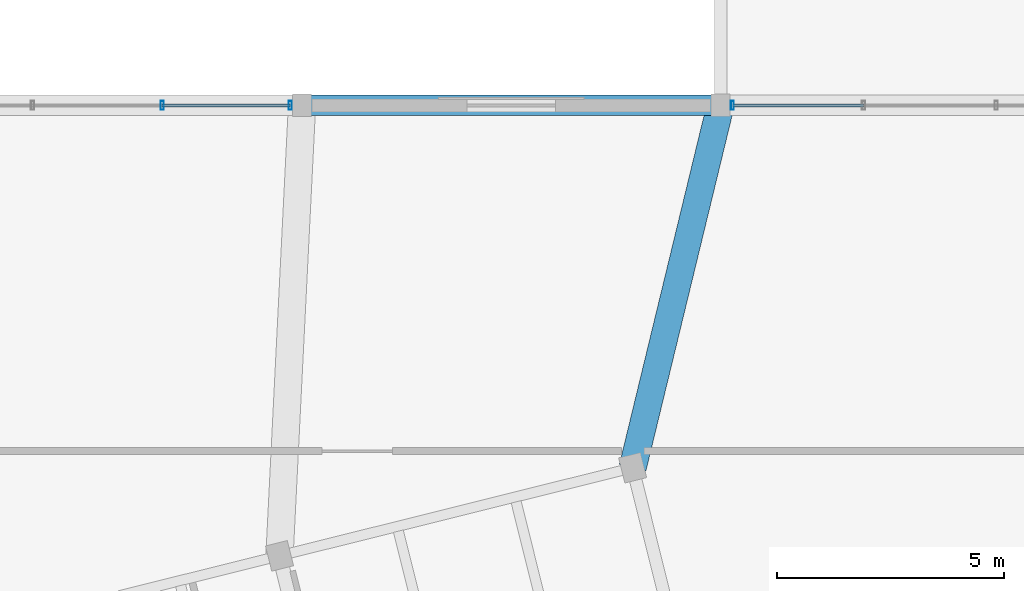
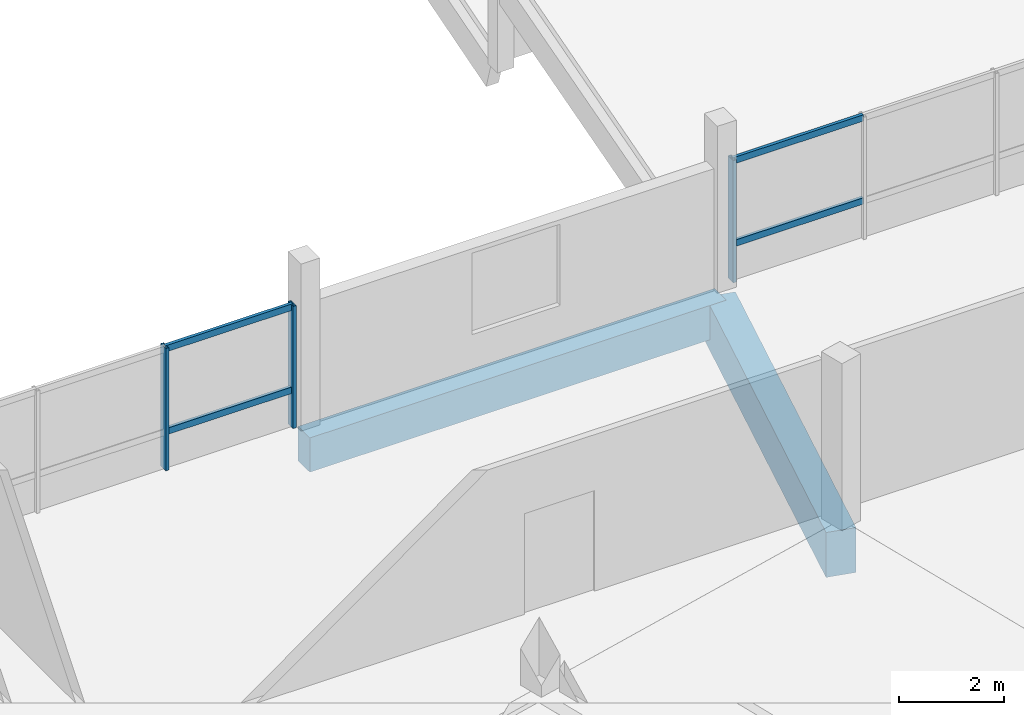
# One storey, part 39 of 62: 7 members, 2 beams, 2 elements without a shape of their own.
"""IFC4 building model written with IfcOpenShell, lengths in metres."""

from ifc_helpers import new_model, si_unit, direction, frame, origin, origin_2d, place, context, subcontext, project, spatial, rectangle, hollow_rectangle, extrude, material, layer, layer_set, material_profile, profile_set, type_object, element, aggregate, save


model = new_model("IFC4")

# Units and contexts
model_context = context("Model", 3, precision=1e-05, world=origin(), true_north=direction((0.0, 1.0)))
body_context = subcontext(model_context, "Body", "Model", "MODEL_VIEW")
ifc_project = project(units=[si_unit("LENGTHUNIT", "METRE"), si_unit("AREAUNIT", "SQUARE_METRE"), si_unit("VOLUMEUNIT", "CUBIC_METRE"), si_unit("PLANEANGLEUNIT", "RADIAN"), si_unit("MASSUNIT", "GRAM", prefix="KILO")], contexts=[model_context])

# Site, building, storey
site_placement = place(None, origin())
site = spatial("IfcSite", under=ifc_project, at=site_placement, CompositionType="ELEMENT")
building_placement = place(site_placement, origin())
building = spatial("IfcBuilding", under=site, at=building_placement, Name="Meriwether Solvik Hall", CompositionType="ELEMENT")
storey_placement = place(building_placement, frame((0.0, 0.0, 14.39990234375)))
storey = spatial("IfcBuildingStorey", under=building, at=storey_placement, Name="L03", CompositionType="ELEMENT", Elevation=14.39990234375)

# Beams
ifc_material_1 = material(Name="Concrete C40/50", Category="concrete")
ifc_material_profile_1 = material_profile(ifc_material_1, rectangle(XDim=0.449951171875, YDim=0.800048828125, at=origin_2d()), Name="RCB-450X800")
ifc_profile_set_1 = profile_set([ifc_material_profile_1], Name="Concrete C40/50")
beam_type_1 = type_object("IfcBeamType", Name="BM-RC-450X800", PredefinedType="BEAM", material=ifc_profile_set_1)
beam_1_placement = place(storey_placement, frame((95.800048828125, 92.800048828125, -0.64501953125), z_axis=(1.0, 0.0, 0.0), x_axis=(0.0, 1.0, 0.0)))
element("IfcBeam", 1, at=beam_1_placement, inside=storey, type_object=beam_type_1, Name="Podium Girder K:11-12 (L03)", PredefinedType="BEAM", context=body_context, shape_type="SweptSolid", body=[
    extrude(rectangle(XDim=0.449951171875, YDim=0.800048828125, at=origin_2d()), origin(), (0.0, 0.0, 1.0), 9.199951171875),
])
ifc_material_2 = material(Name="Concrete C40/50", Category="concrete")
ifc_material_profile_2 = material_profile(ifc_material_2, rectangle(XDim=0.60009765625, YDim=1.050048828125, at=origin_2d()), Name="RCB-600X1050")
ifc_profile_set_2 = profile_set([ifc_material_profile_2], Name="Concrete C40/50")
beam_type_2 = type_object("IfcBeamType", Name="BM-RC-600X1050", PredefinedType="BEAM", material=ifc_profile_set_2)
beam_2_placement = place(storey_placement, frame((103.067626953125, 84.834716796875, -0.77001953125), z_axis=(0.235759443043, 0.971811445197, 0.0), x_axis=(-0.971811445197, 0.235759443043, 0.0)))
element("IfcBeam", 2, at=beam_2_placement, inside=storey, type_object=beam_type_2, Name="Diaphragm Collector Girder T7/TF-12/K (L03)", PredefinedType="BEAM", context=body_context, shape_type="SweptSolid", body=[
    extrude(rectangle(XDim=0.60009765625, YDim=1.050048828125, at=origin_2d()), origin(), (0.0, 0.0, 1.0), 8.1962890625),
])

# Curtain wall, members
ifc_material_3 = material(Name="Thermally Broken Anodised Aluminium 6063-T6 and Low-E Glass", Category="aluminium")
ifc_layer = layer(ifc_material_3, 0.179931640625)
ifc_layer_set = layer_set([ifc_layer], Name="Thermally Broken Anodised Aluminium 6063-T6 and Low-E Glass")
curtain_wall_type = type_object("IfcCurtainWallType", Name="CW-UNIT-E", PredefinedType="USERDEFINED", material=ifc_layer_set)
curtain_wall_1_placement = place(storey_placement, origin())
curtain_wall_1 = element("IfcCurtainWall", 3, at=curtain_wall_1_placement, inside=storey, type_object=curtain_wall_type, Name="Curtain Wall wing_XK_10_15 (L03)", ObjectType="UNITISED CURTAIN WALL", PredefinedType="USERDEFINED")
ifc_material_4 = material(Name="Anodised Aluminium 6063-T6", Category="aluminium")
ifc_material_profile_3 = material_profile(ifc_material_4, hollow_rectangle(XDim=0.070068359375, YDim=0.199951171875, WallThickness=0.0048828125, at=origin_2d()), Name="CWM-70X200")
ifc_profile_set_3 = profile_set([ifc_material_profile_3], Name="Anodised Aluminium 6063-T6")
member_type_1 = type_object("IfcMemberType", Name="CW-MUL-70X200", PredefinedType="MULLION", material=ifc_profile_set_3)
member_1_placement = place(storey_placement, frame((92.72607421875, 92.800048828125, 0.0), z_axis=(0.0, 0.0, 1.0), x_axis=(1.0, 0.0, 0.0)))
member_1 = element("IfcMember", 4, at=member_1_placement, type_object=member_type_1, Name="Curtain Wall Mullion 3", PredefinedType="MULLION", context=body_context, shape_type="SweptSolid", body=[
    extrude(hollow_rectangle(XDim=0.070068359375, YDim=0.199951171875, WallThickness=0.0048828125, at=origin_2d()), origin(), (0.0, 0.0, 1.0), 2.85498046875),
])
member_2_placement = place(storey_placement, frame((95.5400390625, 92.800048828125, 0.0), z_axis=(0.0, 0.0, 1.0), x_axis=(1.0, 0.0, 0.0)))
member_2 = element("IfcMember", 5, at=member_2_placement, type_object=member_type_1, Name="Curtain Wall Mullion 4", PredefinedType="MULLION", context=body_context, shape_type="SweptSolid", body=[
    extrude(hollow_rectangle(XDim=0.070068359375, YDim=0.199951171875, WallThickness=0.0048828125, at=origin_2d()), origin(), (0.0, 0.0, 1.0), 2.85498046875),
])

# Curtain wall, member
curtain_wall_2_placement = place(storey_placement, origin())
curtain_wall_2 = element("IfcCurtainWall", 6, at=curtain_wall_2_placement, inside=storey, type_object=curtain_wall_type, Name="Curtain Wall wing_XK_12_17 (L03)", ObjectType="UNITISED CURTAIN WALL", PredefinedType="USERDEFINED")
member_3_placement = place(storey_placement, frame((105.260009765625, 92.800048828125, 0.0), z_axis=(0.0, 0.0, 1.0), x_axis=(1.0, 0.0, 0.0)))
member_3 = element("IfcMember", 7, at=member_3_placement, type_object=member_type_1, Name="Curtain Wall Mullion 1", PredefinedType="MULLION", context=body_context, shape_type="SweptSolid", body=[
    extrude(hollow_rectangle(XDim=0.070068359375, YDim=0.199951171875, WallThickness=0.0048828125, at=origin_2d()), origin(), (0.0, 0.0, 1.0), 2.85498046875),
])

# Member
ifc_material_5 = material(Name="Anodised Aluminium 6063-T6", Category="aluminium")
ifc_material_profile_4 = material_profile(ifc_material_5, hollow_rectangle(XDim=0.070068359375, YDim=0.14990234375, WallThickness=0.0048828125, at=origin_2d()), Name="CWT-70X150")
ifc_profile_set_4 = profile_set([ifc_material_profile_4], Name="Anodised Aluminium 6063-T6")
member_type_2 = type_object("IfcMemberType", Name="CW-TRN-70X150", PredefinedType="USERDEFINED", material=ifc_profile_set_4)
member_4_placement = place(storey_placement, frame((92.72607421875, 92.800048828125, 0.856689453125), z_axis=(1.0, 0.0, 0.0), x_axis=(0.0, 1.0, 0.0)))
member_4 = element("IfcMember", 8, at=member_4_placement, type_object=member_type_2, Name="Curtain Wall Transom 3-sill", ObjectType="TRANSOM", PredefinedType="USERDEFINED", context=body_context, shape_type="SweptSolid", body=[
    extrude(hollow_rectangle(XDim=0.070068359375, YDim=0.14990234375, WallThickness=0.0048828125, at=origin_2d()), origin(), (0.0, 0.0, 1.0), 2.81396484375),
])

member_5_placement = place(storey_placement, frame((92.72607421875, 92.800048828125, 2.795166015625), z_axis=(1.0, 0.0, 0.0), x_axis=(0.0, 1.0, 0.0)))
member_5 = element("IfcMember", 9, at=member_5_placement, type_object=member_type_2, Name="Curtain Wall Transom 3-head", ObjectType="TRANSOM", PredefinedType="USERDEFINED", context=body_context, shape_type="SweptSolid", body=[
    extrude(hollow_rectangle(XDim=0.070068359375, YDim=0.14990234375, WallThickness=0.0048828125, at=origin_2d()), origin(), (0.0, 0.0, 1.0), 2.81396484375),
])

aggregate(curtain_wall_1, [member_1, member_2, member_4, member_5])

member_6_placement = place(storey_placement, frame((105.260009765625, 92.800048828125, 0.856689453125), z_axis=(1.0, 0.0, 0.0), x_axis=(0.0, 1.0, 0.0)))
member_6 = element("IfcMember", 10, at=member_6_placement, type_object=member_type_2, Name="Curtain Wall Transom 1-sill", ObjectType="TRANSOM", PredefinedType="USERDEFINED", context=body_context, shape_type="SweptSolid", body=[
    extrude(hollow_rectangle(XDim=0.070068359375, YDim=0.14990234375, WallThickness=0.0048828125, at=origin_2d()), origin(), (0.0, 0.0, 1.0), 2.880615234375),
])

member_7_placement = place(storey_placement, frame((105.260009765625, 92.800048828125, 2.795166015625), z_axis=(1.0, 0.0, 0.0), x_axis=(0.0, 1.0, 0.0)))
member_7 = element("IfcMember", 11, at=member_7_placement, type_object=member_type_2, Name="Curtain Wall Transom 1-head", ObjectType="TRANSOM", PredefinedType="USERDEFINED", context=body_context, shape_type="SweptSolid", body=[
    extrude(hollow_rectangle(XDim=0.070068359375, YDim=0.14990234375, WallThickness=0.0048828125, at=origin_2d()), origin(), (0.0, 0.0, 1.0), 2.880615234375),
])

aggregate(curtain_wall_2, [member_3, member_6, member_7])

save(model, "model.ifc")
